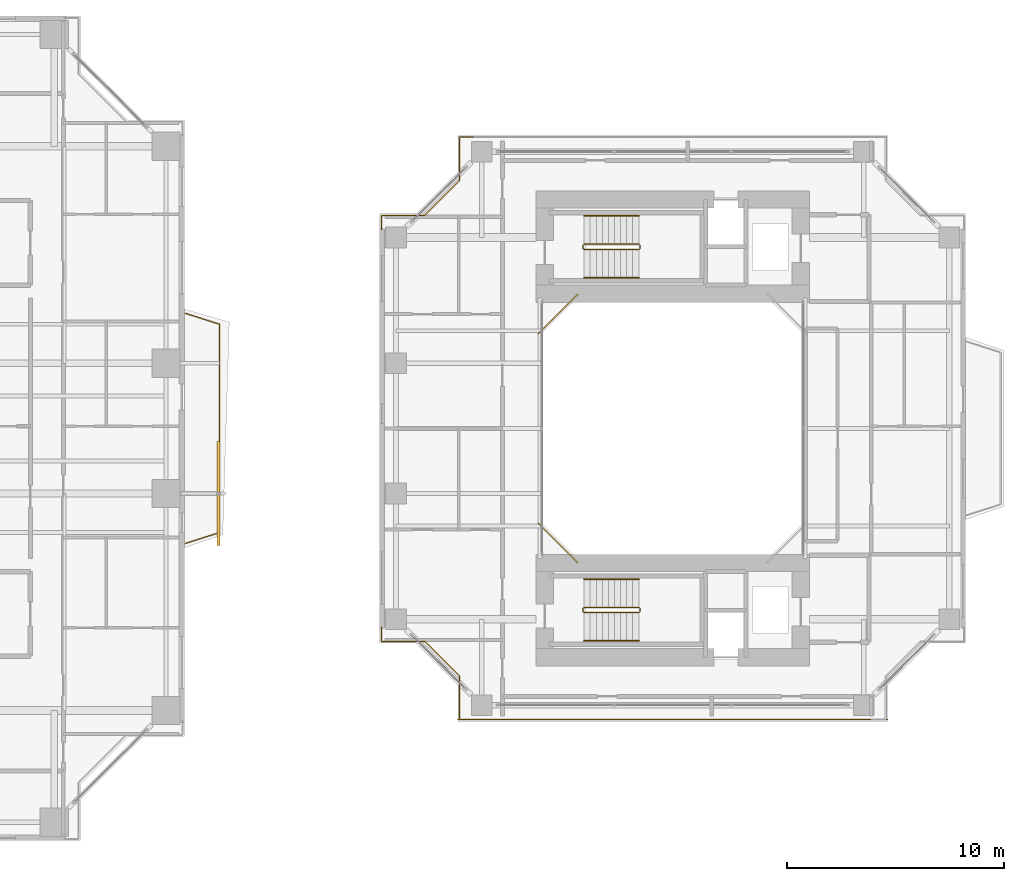
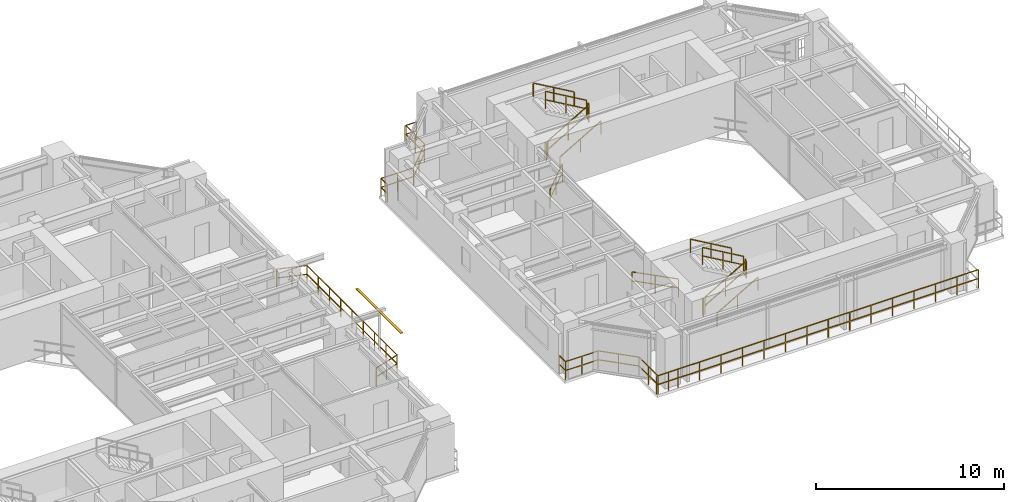
# One storey, part 22 of 24: 18 railings, 1 shading device.
"""IFC4 building model written with IfcOpenShell, lengths in metres."""

from ifc_helpers import new_model, si_unit, direction, frame, origin, origin_2d, place, context, subcontext, project, spatial, rectangle, extrude, source, transform, mapped, material, material_profile, profile_set, type_object, element, save


model = new_model("IFC4")

# Units and contexts
model_context = context("Model", 3, precision=1e-05, world=origin(), true_north=direction((0.0, 1.0)))
body_context = subcontext(model_context, "Body", "Model", "MODEL_VIEW")
ifc_project = project(units=[si_unit("LENGTHUNIT", "METRE"), si_unit("AREAUNIT", "SQUARE_METRE"), si_unit("VOLUMEUNIT", "CUBIC_METRE"), si_unit("PLANEANGLEUNIT", "RADIAN"), si_unit("MASSUNIT", "GRAM", prefix="KILO"), si_unit("THERMODYNAMICTEMPERATUREUNIT", "KELVIN"), si_unit("POWERUNIT", "WATT")], contexts=[model_context])

# Site, building, storey
site_placement = place(None, origin())
site = spatial("IfcSite", under=ifc_project, at=site_placement, CompositionType="ELEMENT")
building_placement = place(site_placement, origin())
building = spatial("IfcBuilding", under=site, at=building_placement, Name="Qiaomeng Ring Towers", CompositionType="ELEMENT")
storey_placement = place(building_placement, frame((0.0, 0.0, 36.0)))
storey = spatial("IfcBuildingStorey", under=building, at=storey_placement, Name="L09", CompositionType="ELEMENT", Elevation=36.0)

# Railings
ifc_material_1 = material(Name="Low-E pale-green laminated safety glass", Category="glass")
railing_type_1 = type_object("IfcRailingType", Name="ARC-RL-BAL1", PredefinedType="BALUSTRADE", material=ifc_material_1)
railing_1_placement = place(storey_placement, frame((38.050048828125, 17.699951171875, 0.0)))
element("IfcRailing", 1, at=railing_1_placement, inside=storey, type_object=railing_type_1, Name="L09 Balustrade ARC-BAL-L09-T1-E", PredefinedType="BALUSTRADE", context=body_context, shape_type="SweptSolid", body=[
    extrude(rectangle(XDim=0.048095703125, YDim=0.048095703125, at=origin_2d()), frame((0.0, 0.0, 1.17578125), z_axis=(0.952849860715, 0.303442157479, 0.0), x_axis=(-0.303442157479, 0.952849860715, 0.0)), (0.0, 0.0, 1.0), 1.647705078125),
    extrude(rectangle(XDim=0.048095703125, YDim=0.048095703125, at=origin_2d()), frame((0.0, 0.0, 0.60009765625), z_axis=(0.952849860715, 0.303442157479, 0.0), x_axis=(-0.303442157479, 0.952849860715, 0.0)), (0.0, 0.0, 1.0), 1.647705078125),
    extrude(rectangle(XDim=0.048095703125, YDim=0.048095703125, at=origin_2d()), frame((1.570068359375, 0.5, 1.17578125), z_axis=(0.0, 1.0, 0.0), x_axis=(-1.0, 0.0, 0.0)), (0.0, 0.0, 1.0), 9.60009765625),
    extrude(rectangle(XDim=0.048095703125, YDim=0.048095703125, at=origin_2d()), frame((1.570068359375, 0.5, 0.60009765625), z_axis=(0.0, 1.0, 0.0), x_axis=(-1.0, 0.0, 0.0)), (0.0, 0.0, 1.0), 9.60009765625),
    extrude(rectangle(XDim=0.048095703125, YDim=0.048095703125, at=origin_2d()), frame((1.570068359375, 10.10009765625, 1.17578125), z_axis=(-0.952849860715, 0.303442157479, 0.0), x_axis=(-0.303442157479, -0.952849860715, 0.0)), (0.0, 0.0, 1.0), 1.647705078125),
    extrude(rectangle(XDim=0.048095703125, YDim=0.048095703125, at=origin_2d()), frame((1.570068359375, 10.10009765625, 0.60009765625), z_axis=(-0.952849860715, 0.303442157479, 0.0), x_axis=(-0.303442157479, -0.952849860715, 0.0)), (0.0, 0.0, 1.0), 1.647705078125),
    extrude(rectangle(XDim=0.0419921875, YDim=0.0419921875, at=origin_2d()), origin(), (0.0, 0.0, 1.0), 1.15185546875),
    extrude(rectangle(XDim=0.0419921875, YDim=0.0419921875, at=origin_2d()), frame((0.78515625, 0.25, 0.0)), (0.0, 0.0, 1.0), 1.15185546875),
    extrude(rectangle(XDim=0.0419921875, YDim=0.0419921875, at=origin_2d()), frame((1.570068359375, 0.5, 0.0)), (0.0, 0.0, 1.0), 1.15185546875),
    extrude(rectangle(XDim=0.0419921875, YDim=0.0419921875, at=origin_2d()), frame((1.570068359375, 1.699951171875, 0.0)), (0.0, 0.0, 1.0), 1.15185546875),
    extrude(rectangle(XDim=0.0419921875, YDim=0.0419921875, at=origin_2d()), frame((1.570068359375, 2.89990234375, 0.0)), (0.0, 0.0, 1.0), 1.15185546875),
    extrude(rectangle(XDim=0.0419921875, YDim=0.0419921875, at=origin_2d()), frame((1.570068359375, 4.10009765625, 0.0)), (0.0, 0.0, 1.0), 1.15185546875),
    extrude(rectangle(XDim=0.0419921875, YDim=0.0419921875, at=origin_2d()), frame((1.570068359375, 5.300048828125, 0.0)), (0.0, 0.0, 1.0), 1.15185546875),
    extrude(rectangle(XDim=0.0419921875, YDim=0.0419921875, at=origin_2d()), frame((1.570068359375, 6.5, 0.0)), (0.0, 0.0, 1.0), 1.15185546875),
    extrude(rectangle(XDim=0.0419921875, YDim=0.0419921875, at=origin_2d()), frame((1.570068359375, 7.7001953125, 0.0)), (0.0, 0.0, 1.0), 1.15185546875),
    extrude(rectangle(XDim=0.0419921875, YDim=0.0419921875, at=origin_2d()), frame((1.570068359375, 8.900146484375, 0.0)), (0.0, 0.0, 1.0), 1.15185546875),
    extrude(rectangle(XDim=0.0419921875, YDim=0.0419921875, at=origin_2d()), frame((1.570068359375, 10.10009765625, 0.0)), (0.0, 0.0, 1.0), 1.15185546875),
    extrude(rectangle(XDim=0.0419921875, YDim=0.0419921875, at=origin_2d()), frame((0.78515625, 10.35009765625, 0.0)), (0.0, 0.0, 1.0), 1.15185546875),
    extrude(rectangle(XDim=0.0419921875, YDim=0.0419921875, at=origin_2d()), frame((0.0, 10.60009765625, 0.0)), (0.0, 0.0, 1.0), 1.15185546875),
])
railing_2_placement = place(storey_placement, frame((56.1201171875, 29.179931640625, 0.0)))
element("IfcRailing", 2, at=railing_2_placement, inside=storey, type_object=railing_type_1, Name="L09 Balustrade ARC-BAL-WELL2-L09-3", PredefinedType="BALUSTRADE", context=body_context, shape_type="SweptSolid", body=[
    extrude(rectangle(XDim=0.048095703125, YDim=0.048095703125, at=origin_2d()), frame((0.0, 0.0, 1.17578125), z_axis=(-0.707106781187, -0.707106781187, 0.0), x_axis=(0.707106781187, -0.707106781187, 0.0)), (0.0, 0.0, 1.0), 2.545654296875),
    extrude(rectangle(XDim=0.048095703125, YDim=0.048095703125, at=origin_2d()), frame((0.0, 0.0, 0.60009765625), z_axis=(-0.707106781187, -0.707106781187, 0.0), x_axis=(0.707106781187, -0.707106781187, 0.0)), (0.0, 0.0, 1.0), 2.545654296875),
    extrude(rectangle(XDim=0.0419921875, YDim=0.0419921875, at=origin_2d()), origin(), (0.0, 0.0, 1.0), 1.15185546875),
    extrude(rectangle(XDim=0.0419921875, YDim=0.0419921875, at=origin_2d()), frame((-0.89990234375, -0.89990234375, 0.0)), (0.0, 0.0, 1.0), 1.15185546875),
    extrude(rectangle(XDim=0.0419921875, YDim=0.0419921875, at=origin_2d()), frame((-1.800048828125, -1.800048828125, 0.0)), (0.0, 0.0, 1.0), 1.15185546875),
])
railing_3_placement = place(storey_placement, frame((54.320068359375, 18.6201171875, 0.0)))
element("IfcRailing", 3, at=railing_3_placement, inside=storey, type_object=railing_type_1, Name="L09 Balustrade ARC-BAL-WELL2-L09-4", PredefinedType="BALUSTRADE", context=body_context, shape_type="SweptSolid", body=[
    extrude(rectangle(XDim=0.048095703125, YDim=0.048095703125, at=origin_2d()), frame((0.0, 0.0, 1.17578125), z_axis=(0.707106781187, -0.707106781187, 0.0), x_axis=(0.707106781187, 0.707106781187, 0.0)), (0.0, 0.0, 1.0), 2.545654296875),
    extrude(rectangle(XDim=0.048095703125, YDim=0.048095703125, at=origin_2d()), frame((0.0, 0.0, 0.60009765625), z_axis=(0.707106781187, -0.707106781187, 0.0), x_axis=(0.707106781187, 0.707106781187, 0.0)), (0.0, 0.0, 1.0), 2.545654296875),
    extrude(rectangle(XDim=0.0419921875, YDim=0.0419921875, at=origin_2d()), origin(), (0.0, 0.0, 1.0), 1.15185546875),
    extrude(rectangle(XDim=0.0419921875, YDim=0.0419921875, at=origin_2d()), frame((0.89990234375, -0.89990234375, 0.0)), (0.0, 0.0, 1.0), 1.15185546875),
    extrude(rectangle(XDim=0.0419921875, YDim=0.0419921875, at=origin_2d()), frame((1.800048828125, -1.800048828125, 0.0)), (0.0, 0.0, 1.0), 1.15185546875),
])
railing_4_placement = place(storey_placement, frame((51.330078125, 36.419921875, 0.0)))
element("IfcRailing", 4, at=railing_4_placement, inside=storey, type_object=railing_type_1, Name="L09 Balustrade ARC-BAL-NOTCH2-L09-NW", PredefinedType="BALUSTRADE", context=body_context, shape_type="SweptSolid", body=[
    extrude(rectangle(XDim=0.048095703125, YDim=0.048095703125, at=origin_2d()), frame((0.0, 0.0, 1.17578125), z_axis=(-1.0, 0.0, 0.0), x_axis=(0.0, -1.0, 0.0)), (0.0, 0.0, 1.0), 0.650146484375),
    extrude(rectangle(XDim=0.048095703125, YDim=0.048095703125, at=origin_2d()), frame((0.0, 0.0, 0.60009765625), z_axis=(-1.0, 0.0, 0.0), x_axis=(0.0, -1.0, 0.0)), (0.0, 0.0, 1.0), 0.650146484375),
    extrude(rectangle(XDim=0.048095703125, YDim=0.048095703125, at=origin_2d()), frame((-0.650146484375, 0.0, 1.17578125), z_axis=(0.0, -1.0, 0.0), x_axis=(1.0, 0.0, 0.0)), (0.0, 0.0, 1.0), 2.0),
    extrude(rectangle(XDim=0.048095703125, YDim=0.048095703125, at=origin_2d()), frame((-0.650146484375, 0.0, 0.60009765625), z_axis=(0.0, -1.0, 0.0), x_axis=(1.0, 0.0, 0.0)), (0.0, 0.0, 1.0), 2.0),
    extrude(rectangle(XDim=0.048095703125, YDim=0.048095703125, at=origin_2d()), frame((-0.650146484375, -2.0, 1.17578125), z_axis=(-0.707106781187, -0.707106781187, 0.0), x_axis=(0.707106781187, -0.707106781187, 0.0)), (0.0, 0.0, 1.0), 2.262451171875),
    extrude(rectangle(XDim=0.048095703125, YDim=0.048095703125, at=origin_2d()), frame((-0.650146484375, -2.0, 0.60009765625), z_axis=(-0.707106781187, -0.707106781187, 0.0), x_axis=(0.707106781187, -0.707106781187, 0.0)), (0.0, 0.0, 1.0), 2.262451171875),
    extrude(rectangle(XDim=0.048095703125, YDim=0.048095703125, at=origin_2d()), frame((-2.25, -3.599853515625, 1.17578125), z_axis=(-1.0, 0.0, 0.0), x_axis=(0.0, -1.0, 0.0)), (0.0, 0.0, 1.0), 2.0),
    extrude(rectangle(XDim=0.048095703125, YDim=0.048095703125, at=origin_2d()), frame((-2.25, -3.599853515625, 0.60009765625), z_axis=(-1.0, 0.0, 0.0), x_axis=(0.0, -1.0, 0.0)), (0.0, 0.0, 1.0), 2.0),
    extrude(rectangle(XDim=0.048095703125, YDim=0.048095703125, at=origin_2d()), frame((-4.25, -3.599853515625, 1.17578125), z_axis=(0.0, -1.0, 0.0), x_axis=(1.0, 0.0, 0.0)), (0.0, 0.0, 1.0), 0.650146484375),
    extrude(rectangle(XDim=0.048095703125, YDim=0.048095703125, at=origin_2d()), frame((-4.25, -3.599853515625, 0.60009765625), z_axis=(0.0, -1.0, 0.0), x_axis=(1.0, 0.0, 0.0)), (0.0, 0.0, 1.0), 0.650146484375),
    extrude(rectangle(XDim=0.0419921875, YDim=0.0419921875, at=origin_2d()), origin(), (0.0, 0.0, 1.0), 1.15185546875),
    extrude(rectangle(XDim=0.0419921875, YDim=0.0419921875, at=origin_2d()), frame((-0.650146484375, 0.0, 0.0)), (0.0, 0.0, 1.0), 1.15185546875),
    extrude(rectangle(XDim=0.0419921875, YDim=0.0419921875, at=origin_2d()), frame((-0.650146484375, -1.0, 0.0)), (0.0, 0.0, 1.0), 1.15185546875),
    extrude(rectangle(XDim=0.0419921875, YDim=0.0419921875, at=origin_2d()), frame((-0.650146484375, -2.0, 0.0)), (0.0, 0.0, 1.0), 1.15185546875),
    extrude(rectangle(XDim=0.0419921875, YDim=0.0419921875, at=origin_2d()), frame((-1.4501953125, -2.7998046875, 0.0)), (0.0, 0.0, 1.0), 1.15185546875),
    extrude(rectangle(XDim=0.0419921875, YDim=0.0419921875, at=origin_2d()), frame((-2.25, -3.599853515625, 0.0)), (0.0, 0.0, 1.0), 1.15185546875),
    extrude(rectangle(XDim=0.0419921875, YDim=0.0419921875, at=origin_2d()), frame((-3.25, -3.599853515625, 0.0)), (0.0, 0.0, 1.0), 1.15185546875),
    extrude(rectangle(XDim=0.0419921875, YDim=0.0419921875, at=origin_2d()), frame((-4.25, -3.599853515625, 0.0)), (0.0, 0.0, 1.0), 1.15185546875),
    extrude(rectangle(XDim=0.0419921875, YDim=0.0419921875, at=origin_2d()), frame((-4.25, -4.25, 0.0)), (0.0, 0.0, 1.0), 1.15185546875),
])
railing_5_placement = place(storey_placement, frame((47.080078125, 13.830078125, 0.0)))
element("IfcRailing", 5, at=railing_5_placement, inside=storey, type_object=railing_type_1, Name="L09 Balustrade ARC-BAL-NOTCH2-L09-SW", PredefinedType="BALUSTRADE", context=body_context, shape_type="SweptSolid", body=[
    extrude(rectangle(XDim=0.048095703125, YDim=0.048095703125, at=origin_2d()), frame((0.0, 0.0, 1.17578125), z_axis=(0.0, -1.0, 0.0), x_axis=(1.0, 0.0, 0.0)), (0.0, 0.0, 1.0), 0.650146484375),
    extrude(rectangle(XDim=0.048095703125, YDim=0.048095703125, at=origin_2d()), frame((0.0, 0.0, 0.60009765625), z_axis=(0.0, -1.0, 0.0), x_axis=(1.0, 0.0, 0.0)), (0.0, 0.0, 1.0), 0.650146484375),
    extrude(rectangle(XDim=0.048095703125, YDim=0.048095703125, at=origin_2d()), frame((0.0, -0.650146484375, 1.17578125), z_axis=(1.0, 0.0, 0.0), x_axis=(0.0, 1.0, 0.0)), (0.0, 0.0, 1.0), 2.0),
    extrude(rectangle(XDim=0.048095703125, YDim=0.048095703125, at=origin_2d()), frame((0.0, -0.650146484375, 0.60009765625), z_axis=(1.0, 0.0, 0.0), x_axis=(0.0, 1.0, 0.0)), (0.0, 0.0, 1.0), 2.0),
    extrude(rectangle(XDim=0.048095703125, YDim=0.048095703125, at=origin_2d()), frame((2.0, -0.650146484375, 1.17578125), z_axis=(0.707106781187, -0.707106781187, 0.0), x_axis=(0.707106781187, 0.707106781187, 0.0)), (0.0, 0.0, 1.0), 2.262451171875),
    extrude(rectangle(XDim=0.048095703125, YDim=0.048095703125, at=origin_2d()), frame((2.0, -0.650146484375, 0.60009765625), z_axis=(0.707106781187, -0.707106781187, 0.0), x_axis=(0.707106781187, 0.707106781187, 0.0)), (0.0, 0.0, 1.0), 2.262451171875),
    extrude(rectangle(XDim=0.048095703125, YDim=0.048095703125, at=origin_2d()), frame((3.599853515625, -2.25, 1.17578125), z_axis=(0.0, -1.0, 0.0), x_axis=(1.0, 0.0, 0.0)), (0.0, 0.0, 1.0), 2.0),
    extrude(rectangle(XDim=0.048095703125, YDim=0.048095703125, at=origin_2d()), frame((3.599853515625, -2.25, 0.60009765625), z_axis=(0.0, -1.0, 0.0), x_axis=(1.0, 0.0, 0.0)), (0.0, 0.0, 1.0), 2.0),
    extrude(rectangle(XDim=0.048095703125, YDim=0.048095703125, at=origin_2d()), frame((3.599853515625, -4.25, 1.17578125), z_axis=(1.0, 0.0, 0.0), x_axis=(0.0, 1.0, 0.0)), (0.0, 0.0, 1.0), 0.650146484375),
    extrude(rectangle(XDim=0.048095703125, YDim=0.048095703125, at=origin_2d()), frame((3.599853515625, -4.25, 0.60009765625), z_axis=(1.0, 0.0, 0.0), x_axis=(0.0, 1.0, 0.0)), (0.0, 0.0, 1.0), 0.650146484375),
    extrude(rectangle(XDim=0.0419921875, YDim=0.0419921875, at=origin_2d()), origin(), (0.0, 0.0, 1.0), 1.15185546875),
    extrude(rectangle(XDim=0.0419921875, YDim=0.0419921875, at=origin_2d()), frame((0.0, -0.650146484375, 0.0)), (0.0, 0.0, 1.0), 1.15185546875),
    extrude(rectangle(XDim=0.0419921875, YDim=0.0419921875, at=origin_2d()), frame((1.0, -0.650146484375, 0.0)), (0.0, 0.0, 1.0), 1.15185546875),
    extrude(rectangle(XDim=0.0419921875, YDim=0.0419921875, at=origin_2d()), frame((2.0, -0.650146484375, 0.0)), (0.0, 0.0, 1.0), 1.15185546875),
    extrude(rectangle(XDim=0.0419921875, YDim=0.0419921875, at=origin_2d()), frame((2.7998046875, -1.4501953125, 0.0)), (0.0, 0.0, 1.0), 1.15185546875),
    extrude(rectangle(XDim=0.0419921875, YDim=0.0419921875, at=origin_2d()), frame((3.599853515625, -2.25, 0.0)), (0.0, 0.0, 1.0), 1.15185546875),
    extrude(rectangle(XDim=0.0419921875, YDim=0.0419921875, at=origin_2d()), frame((3.599853515625, -3.25, 0.0)), (0.0, 0.0, 1.0), 1.15185546875),
    extrude(rectangle(XDim=0.0419921875, YDim=0.0419921875, at=origin_2d()), frame((3.599853515625, -4.25, 0.0)), (0.0, 0.0, 1.0), 1.15185546875),
    extrude(rectangle(XDim=0.0419921875, YDim=0.0419921875, at=origin_2d()), frame((4.25, -4.25, 0.0)), (0.0, 0.0, 1.0), 1.15185546875),
])
railing_6_placement = place(storey_placement, frame((50.60009765625, 9.580078125, 0.0)))
element("IfcRailing", 6, at=railing_6_placement, inside=storey, type_object=railing_type_1, Name="L09 Balustrade ARC-BAL-T2S-L09", PredefinedType="BALUSTRADE", context=body_context, shape_type="SweptSolid", body=[
    extrude(rectangle(XDim=0.048095703125, YDim=0.048095703125, at=origin_2d()), frame((0.0, 0.0, 1.17578125), z_axis=(1.0, 0.0, 0.0), x_axis=(0.0, 1.0, 0.0)), (0.0, 0.0, 1.0), 19.7998046875),
    extrude(rectangle(XDim=0.048095703125, YDim=0.048095703125, at=origin_2d()), frame((0.0, 0.0, 0.60009765625), z_axis=(1.0, 0.0, 0.0), x_axis=(0.0, 1.0, 0.0)), (0.0, 0.0, 1.0), 19.7998046875),
    extrude(rectangle(XDim=0.0419921875, YDim=0.0419921875, at=origin_2d()), origin(), (0.0, 0.0, 1.0), 1.15185546875),
    extrude(rectangle(XDim=0.0419921875, YDim=0.0419921875, at=origin_2d()), frame((1.320068359375, 0.0, 0.0)), (0.0, 0.0, 1.0), 1.15185546875),
    extrude(rectangle(XDim=0.0419921875, YDim=0.0419921875, at=origin_2d()), frame((2.639892578125, 0.0, 0.0)), (0.0, 0.0, 1.0), 1.15185546875),
    extrude(rectangle(XDim=0.0419921875, YDim=0.0419921875, at=origin_2d()), frame((3.9599609375, 0.0, 0.0)), (0.0, 0.0, 1.0), 1.15185546875),
    extrude(rectangle(XDim=0.0419921875, YDim=0.0419921875, at=origin_2d()), frame((5.280029296875, 0.0, 0.0)), (0.0, 0.0, 1.0), 1.15185546875),
    extrude(rectangle(XDim=0.0419921875, YDim=0.0419921875, at=origin_2d()), frame((6.599853515625, 0.0, 0.0)), (0.0, 0.0, 1.0), 1.15185546875),
    extrude(rectangle(XDim=0.0419921875, YDim=0.0419921875, at=origin_2d()), frame((7.919921875, 0.0, 0.0)), (0.0, 0.0, 1.0), 1.15185546875),
    extrude(rectangle(XDim=0.0419921875, YDim=0.0419921875, at=origin_2d()), frame((9.239990234375, 0.0, 0.0)), (0.0, 0.0, 1.0), 1.15185546875),
    extrude(rectangle(XDim=0.0419921875, YDim=0.0419921875, at=origin_2d()), frame((10.559814453125, 0.0, 0.0)), (0.0, 0.0, 1.0), 1.15185546875),
    extrude(rectangle(XDim=0.0419921875, YDim=0.0419921875, at=origin_2d()), frame((11.8798828125, 0.0, 0.0)), (0.0, 0.0, 1.0), 1.15185546875),
    extrude(rectangle(XDim=0.0419921875, YDim=0.0419921875, at=origin_2d()), frame((13.199951171875, 0.0, 0.0)), (0.0, 0.0, 1.0), 1.15185546875),
    extrude(rectangle(XDim=0.0419921875, YDim=0.0419921875, at=origin_2d()), frame((14.519775390625, 0.0, 0.0)), (0.0, 0.0, 1.0), 1.15185546875),
    extrude(rectangle(XDim=0.0419921875, YDim=0.0419921875, at=origin_2d()), frame((15.83984375, 0.0, 0.0)), (0.0, 0.0, 1.0), 1.15185546875),
    extrude(rectangle(XDim=0.0419921875, YDim=0.0419921875, at=origin_2d()), frame((17.159912109375, 0.0, 0.0)), (0.0, 0.0, 1.0), 1.15185546875),
    extrude(rectangle(XDim=0.0419921875, YDim=0.0419921875, at=origin_2d()), frame((18.479736328125, 0.0, 0.0)), (0.0, 0.0, 1.0), 1.15185546875),
    extrude(rectangle(XDim=0.0419921875, YDim=0.0419921875, at=origin_2d()), frame((19.7998046875, 0.0, 0.0)), (0.0, 0.0, 1.0), 1.15185546875),
])
ifc_material_2 = material(Name="Galvanised steel", Category="steel")
railing_type_2 = type_object("IfcRailingType", Name="ARC-RL-GUARD", PredefinedType="GUARDRAIL", material=ifc_material_2)
railing_7_placement = place(storey_placement, frame((56.419921875, 31.25, 0.16259765625)))
element("IfcRailing", 7, at=railing_7_placement, inside=storey, type_object=railing_type_2, Name="L09 ST5 stair guard 1", PredefinedType="GUARDRAIL", context=body_context, shape_type="SweptSolid", body=[
    extrude(rectangle(XDim=0.048095703125, YDim=0.048095703125, at=origin_2d()), frame((0.0, 0.0, 1.1259765625), z_axis=(0.864913338283, 0.0, 0.50192122615), x_axis=(0.0, 1.0, 0.0)), (0.0, 0.0, 1.0), 2.91357421875),
    extrude(rectangle(XDim=0.048095703125, YDim=0.048095703125, at=origin_2d()), frame((0.0, 0.0, 0.574951171875), z_axis=(0.864913338283, 0.0, 0.50192122615), x_axis=(0.0, 1.0, 0.0)), (0.0, 0.0, 1.0), 2.91357421875),
    extrude(rectangle(XDim=0.0419921875, YDim=0.0419921875, at=origin_2d()), origin(), (0.0, 0.0, 1.0), 1.101806640625),
    extrude(rectangle(XDim=0.0419921875, YDim=0.0419921875, at=origin_2d()), frame((1.260009765625, 0.0, 0.731201171875)), (0.0, 0.0, 1.0), 1.101806640625),
    extrude(rectangle(XDim=0.0419921875, YDim=0.0419921875, at=origin_2d()), frame((2.52001953125, 0.0, 1.46240234375)), (0.0, 0.0, 1.0), 1.101806640625),
])
railing_8_placement = place(storey_placement, frame((58.989990234375, 31.300048828125, 1.625)))
element("IfcRailing", 8, at=railing_8_placement, inside=storey, type_object=railing_type_2, Name="L09 ST5 stair guard 2", PredefinedType="GUARDRAIL", context=body_context, shape_type="SweptSolid", body=[
    extrude(rectangle(XDim=0.048095703125, YDim=0.048095703125, at=origin_2d()), frame((0.0, 0.0, 1.1259765625), z_axis=(0.0, 1.0, 0.0), x_axis=(-1.0, 0.0, 0.0)), (0.0, 0.0, 1.0), 0.139892578125),
    extrude(rectangle(XDim=0.048095703125, YDim=0.048095703125, at=origin_2d()), frame((0.0, 0.0, 0.574951171875), z_axis=(0.0, 1.0, 0.0), x_axis=(-1.0, 0.0, 0.0)), (0.0, 0.0, 1.0), 0.139892578125),
    extrude(rectangle(XDim=0.0419921875, YDim=0.0419921875, at=origin_2d()), origin(), (0.0, 0.0, 1.0), 1.101806640625),
    extrude(rectangle(XDim=0.0419921875, YDim=0.0419921875, at=origin_2d()), frame((0.0, 0.139892578125, 0.0)), (0.0, 0.0, 1.0), 1.101806640625),
])
railing_9_placement = place(storey_placement, frame((58.93994140625, 31.489990234375, 1.78759765625)))
element("IfcRailing", 9, at=railing_9_placement, inside=storey, type_object=railing_type_2, Name="L09 ST5 stair guard 3", PredefinedType="GUARDRAIL", context=body_context, shape_type="SweptSolid", body=[
    extrude(rectangle(XDim=0.048095703125, YDim=0.048095703125, at=origin_2d()), frame((0.0, 0.0, 1.1259765625), z_axis=(-0.864913338283, 0.0, 0.50192122615), x_axis=(0.0, -1.0, 0.0)), (0.0, 0.0, 1.0), 2.91357421875),
    extrude(rectangle(XDim=0.048095703125, YDim=0.048095703125, at=origin_2d()), frame((0.0, 0.0, 0.574951171875), z_axis=(-0.864913338283, 0.0, 0.50192122615), x_axis=(0.0, -1.0, 0.0)), (0.0, 0.0, 1.0), 2.91357421875),
    extrude(rectangle(XDim=0.0419921875, YDim=0.0419921875, at=origin_2d()), origin(), (0.0, 0.0, 1.0), 1.101806640625),
    extrude(rectangle(XDim=0.0419921875, YDim=0.0419921875, at=origin_2d()), frame((-1.260009765625, 0.0, 0.731201171875)), (0.0, 0.0, 1.0), 1.101806640625),
    extrude(rectangle(XDim=0.0419921875, YDim=0.0419921875, at=origin_2d()), frame((-2.52001953125, 0.0, 1.46240234375)), (0.0, 0.0, 1.0), 1.101806640625),
])
railing_10_placement = place(storey_placement, frame((56.3701171875, 31.300048828125, 0.0)))
element("IfcRailing", 10, at=railing_10_placement, inside=storey, type_object=railing_type_2, Name="L09 ST5 stair guard 4", PredefinedType="GUARDRAIL", context=body_context, shape_type="SweptSolid", body=[
    extrude(rectangle(XDim=0.048095703125, YDim=0.048095703125, at=origin_2d()), frame((0.0, 0.0, 1.1259765625), z_axis=(0.0, 1.0, 0.0), x_axis=(-1.0, 0.0, 0.0)), (0.0, 0.0, 1.0), 0.139892578125),
    extrude(rectangle(XDim=0.048095703125, YDim=0.048095703125, at=origin_2d()), frame((0.0, 0.0, 0.574951171875), z_axis=(0.0, 1.0, 0.0), x_axis=(-1.0, 0.0, 0.0)), (0.0, 0.0, 1.0), 0.139892578125),
    extrude(rectangle(XDim=0.0419921875, YDim=0.0419921875, at=origin_2d()), origin(), (0.0, 0.0, 1.0), 1.101806640625),
    extrude(rectangle(XDim=0.0419921875, YDim=0.0419921875, at=origin_2d()), frame((0.0, 0.139892578125, 0.0)), (0.0, 0.0, 1.0), 1.101806640625),
])
railing_11_placement = place(storey_placement, frame((56.419921875, 14.510009765625, 0.16259765625)))
element("IfcRailing", 11, at=railing_11_placement, inside=storey, type_object=railing_type_2, Name="L09 ST6 stair guard 1", PredefinedType="GUARDRAIL", context=body_context, shape_type="SweptSolid", body=[
    extrude(rectangle(XDim=0.048095703125, YDim=0.048095703125, at=origin_2d()), frame((0.0, 0.0, 1.1259765625), z_axis=(0.864913338283, 0.0, 0.50192122615), x_axis=(0.0, 1.0, 0.0)), (0.0, 0.0, 1.0), 2.91357421875),
    extrude(rectangle(XDim=0.048095703125, YDim=0.048095703125, at=origin_2d()), frame((0.0, 0.0, 0.574951171875), z_axis=(0.864913338283, 0.0, 0.50192122615), x_axis=(0.0, 1.0, 0.0)), (0.0, 0.0, 1.0), 2.91357421875),
    extrude(rectangle(XDim=0.0419921875, YDim=0.0419921875, at=origin_2d()), origin(), (0.0, 0.0, 1.0), 1.101806640625),
    extrude(rectangle(XDim=0.0419921875, YDim=0.0419921875, at=origin_2d()), frame((1.260009765625, 0.0, 0.731201171875)), (0.0, 0.0, 1.0), 1.101806640625),
    extrude(rectangle(XDim=0.0419921875, YDim=0.0419921875, at=origin_2d()), frame((2.52001953125, 0.0, 1.46240234375)), (0.0, 0.0, 1.0), 1.101806640625),
])
railing_12_placement = place(storey_placement, frame((58.989990234375, 14.56005859375, 1.625)))
element("IfcRailing", 12, at=railing_12_placement, inside=storey, type_object=railing_type_2, Name="L09 ST6 stair guard 2", PredefinedType="GUARDRAIL", context=body_context, shape_type="SweptSolid", body=[
    extrude(rectangle(XDim=0.048095703125, YDim=0.048095703125, at=origin_2d()), frame((0.0, 0.0, 1.1259765625), z_axis=(0.0, 1.0, 0.0), x_axis=(-1.0, 0.0, 0.0)), (0.0, 0.0, 1.0), 0.139892578125),
    extrude(rectangle(XDim=0.048095703125, YDim=0.048095703125, at=origin_2d()), frame((0.0, 0.0, 0.574951171875), z_axis=(0.0, 1.0, 0.0), x_axis=(-1.0, 0.0, 0.0)), (0.0, 0.0, 1.0), 0.139892578125),
    extrude(rectangle(XDim=0.0419921875, YDim=0.0419921875, at=origin_2d()), origin(), (0.0, 0.0, 1.0), 1.101806640625),
    extrude(rectangle(XDim=0.0419921875, YDim=0.0419921875, at=origin_2d()), frame((0.0, 0.139892578125, 0.0)), (0.0, 0.0, 1.0), 1.101806640625),
])
railing_13_placement = place(storey_placement, frame((58.93994140625, 14.75, 1.78759765625)))
element("IfcRailing", 13, at=railing_13_placement, inside=storey, type_object=railing_type_2, Name="L09 ST6 stair guard 3", PredefinedType="GUARDRAIL", context=body_context, shape_type="SweptSolid", body=[
    extrude(rectangle(XDim=0.048095703125, YDim=0.048095703125, at=origin_2d()), frame((0.0, 0.0, 1.1259765625), z_axis=(-0.864913338283, 0.0, 0.50192122615), x_axis=(0.0, -1.0, 0.0)), (0.0, 0.0, 1.0), 2.91357421875),
    extrude(rectangle(XDim=0.048095703125, YDim=0.048095703125, at=origin_2d()), frame((0.0, 0.0, 0.574951171875), z_axis=(-0.864913338283, 0.0, 0.50192122615), x_axis=(0.0, -1.0, 0.0)), (0.0, 0.0, 1.0), 2.91357421875),
    extrude(rectangle(XDim=0.0419921875, YDim=0.0419921875, at=origin_2d()), origin(), (0.0, 0.0, 1.0), 1.101806640625),
    extrude(rectangle(XDim=0.0419921875, YDim=0.0419921875, at=origin_2d()), frame((-1.260009765625, 0.0, 0.731201171875)), (0.0, 0.0, 1.0), 1.101806640625),
    extrude(rectangle(XDim=0.0419921875, YDim=0.0419921875, at=origin_2d()), frame((-2.52001953125, 0.0, 1.46240234375)), (0.0, 0.0, 1.0), 1.101806640625),
])
railing_14_placement = place(storey_placement, frame((56.3701171875, 14.56005859375, 0.0)))
element("IfcRailing", 14, at=railing_14_placement, inside=storey, type_object=railing_type_2, Name="L09 ST6 stair guard 4", PredefinedType="GUARDRAIL", context=body_context, shape_type="SweptSolid", body=[
    extrude(rectangle(XDim=0.048095703125, YDim=0.048095703125, at=origin_2d()), frame((0.0, 0.0, 1.1259765625), z_axis=(0.0, 1.0, 0.0), x_axis=(-1.0, 0.0, 0.0)), (0.0, 0.0, 1.0), 0.139892578125),
    extrude(rectangle(XDim=0.048095703125, YDim=0.048095703125, at=origin_2d()), frame((0.0, 0.0, 0.574951171875), z_axis=(0.0, 1.0, 0.0), x_axis=(-1.0, 0.0, 0.0)), (0.0, 0.0, 1.0), 0.139892578125),
    extrude(rectangle(XDim=0.0419921875, YDim=0.0419921875, at=origin_2d()), origin(), (0.0, 0.0, 1.0), 1.101806640625),
    extrude(rectangle(XDim=0.0419921875, YDim=0.0419921875, at=origin_2d()), frame((0.0, 0.139892578125, 0.0)), (0.0, 0.0, 1.0), 1.101806640625),
])
ifc_material_3 = material(Name="Stainless steel 316", Category="steel")
railing_type_3 = type_object("IfcRailingType", Name="ARC-RL-HAND", PredefinedType="HANDRAIL", material=ifc_material_3)
railing_15_placement = place(storey_placement, frame((56.419921875, 29.949951171875, 0.16259765625)))
element("IfcRailing", 15, at=railing_15_placement, inside=storey, type_object=railing_type_3, Name="L09 ST5 stair handrail 1", PredefinedType="HANDRAIL", context=body_context, shape_type="SweptSolid", body=[
    extrude(rectangle(XDim=0.048095703125, YDim=0.048095703125, at=origin_2d()), frame((0.0, 0.0, 0.8759765625), z_axis=(0.864913338283, 0.0, 0.50192122615), x_axis=(0.0, 1.0, 0.0)), (0.0, 0.0, 1.0), 2.91357421875),
    extrude(rectangle(XDim=0.0419921875, YDim=0.0419921875, at=origin_2d()), origin(), (0.0, 0.0, 1.0), 0.851806640625),
    extrude(rectangle(XDim=0.0419921875, YDim=0.0419921875, at=origin_2d()), frame((1.260009765625, 0.0, 0.731201171875)), (0.0, 0.0, 1.0), 0.851806640625),
    extrude(rectangle(XDim=0.0419921875, YDim=0.0419921875, at=origin_2d()), frame((2.52001953125, 0.0, 1.46240234375)), (0.0, 0.0, 1.0), 0.851806640625),
])
railing_16_placement = place(storey_placement, frame((58.93994140625, 32.7900390625, 1.78759765625)))
element("IfcRailing", 16, at=railing_16_placement, inside=storey, type_object=railing_type_3, Name="L09 ST5 stair handrail 2", PredefinedType="HANDRAIL", context=body_context, shape_type="SweptSolid", body=[
    extrude(rectangle(XDim=0.048095703125, YDim=0.048095703125, at=origin_2d()), frame((0.0, 0.0, 0.8759765625), z_axis=(-0.864913338283, 0.0, 0.50192122615), x_axis=(0.0, -1.0, 0.0)), (0.0, 0.0, 1.0), 2.91357421875),
    extrude(rectangle(XDim=0.0419921875, YDim=0.0419921875, at=origin_2d()), origin(), (0.0, 0.0, 1.0), 0.851806640625),
    extrude(rectangle(XDim=0.0419921875, YDim=0.0419921875, at=origin_2d()), frame((-1.260009765625, 0.0, 0.731201171875)), (0.0, 0.0, 1.0), 0.851806640625),
    extrude(rectangle(XDim=0.0419921875, YDim=0.0419921875, at=origin_2d()), frame((-2.52001953125, 0.0, 1.46240234375)), (0.0, 0.0, 1.0), 0.851806640625),
])
railing_17_placement = place(storey_placement, frame((56.419921875, 13.2099609375, 0.16259765625)))
element("IfcRailing", 17, at=railing_17_placement, inside=storey, type_object=railing_type_3, Name="L09 ST6 stair handrail 1", PredefinedType="HANDRAIL", context=body_context, shape_type="SweptSolid", body=[
    extrude(rectangle(XDim=0.048095703125, YDim=0.048095703125, at=origin_2d()), frame((0.0, 0.0, 0.8759765625), z_axis=(0.864913338283, 0.0, 0.50192122615), x_axis=(0.0, 1.0, 0.0)), (0.0, 0.0, 1.0), 2.91357421875),
    extrude(rectangle(XDim=0.0419921875, YDim=0.0419921875, at=origin_2d()), origin(), (0.0, 0.0, 1.0), 0.851806640625),
    extrude(rectangle(XDim=0.0419921875, YDim=0.0419921875, at=origin_2d()), frame((1.260009765625, 0.0, 0.731201171875)), (0.0, 0.0, 1.0), 0.851806640625),
    extrude(rectangle(XDim=0.0419921875, YDim=0.0419921875, at=origin_2d()), frame((2.52001953125, 0.0, 1.46240234375)), (0.0, 0.0, 1.0), 0.851806640625),
])
railing_18_placement = place(storey_placement, frame((58.93994140625, 16.050048828125, 1.78759765625)))
element("IfcRailing", 18, at=railing_18_placement, inside=storey, type_object=railing_type_3, Name="L09 ST6 stair handrail 2", PredefinedType="HANDRAIL", context=body_context, shape_type="SweptSolid", body=[
    extrude(rectangle(XDim=0.048095703125, YDim=0.048095703125, at=origin_2d()), frame((0.0, 0.0, 0.8759765625), z_axis=(-0.864913338283, 0.0, 0.50192122615), x_axis=(0.0, -1.0, 0.0)), (0.0, 0.0, 1.0), 2.91357421875),
    extrude(rectangle(XDim=0.0419921875, YDim=0.0419921875, at=origin_2d()), origin(), (0.0, 0.0, 1.0), 0.851806640625),
    extrude(rectangle(XDim=0.0419921875, YDim=0.0419921875, at=origin_2d()), frame((-1.260009765625, 0.0, 0.731201171875)), (0.0, 0.0, 1.0), 0.851806640625),
    extrude(rectangle(XDim=0.0419921875, YDim=0.0419921875, at=origin_2d()), frame((-2.52001953125, 0.0, 1.46240234375)), (0.0, 0.0, 1.0), 0.851806640625),
])

# Shading device
ifc_material_4 = material(Name="Fluorocarbon dark-grey aluminium", Category="aluminium")
ifc_material_profile = material_profile(ifc_material_4, rectangle(XDim=0.14990234375, YDim=0.034912109375, at=origin_2d()), Name="LV BLADE 150x35")
ifc_profile_set = profile_set([ifc_material_profile], Name="Fluorocarbon dark-grey aluminium")
shading_device_type = type_object("IfcShadingDeviceType", Name="ARC-SHD-SUN", PredefinedType="AWNING", material=ifc_profile_set)
shared_shape = source(origin(), body_context, "Body", "SweptSolid", [
    extrude(rectangle(XDim=0.14990234375, YDim=0.034912109375, at=origin_2d()), origin(), (0.0, 0.0, 1.0), 4.7998046875),
])
shading_device_placement = place(storey_placement, frame((39.570068359375, 17.60009765625, 2.969970703125), z_axis=(0.0, 1.0, 0.0), x_axis=(-1.0, 0.0, 0.0)))
element("IfcShadingDevice", 19, at=shading_device_placement, inside=storey, type_object=shading_device_type, Name="L09 Ventilated Outer-Skin Sunshade E", PredefinedType="AWNING", context=body_context, shape_type="MappedRepresentation", body=[
    mapped(shared_shape, transform((0.0, 0.0, 0.0), x_axis=(1.0, 0.0, 0.0), y_axis=(0.0, 1.0, 0.0), z_axis=(0.0, 0.0, 1.0), scale=1.0)),
])

save(model, "model.ifc")
